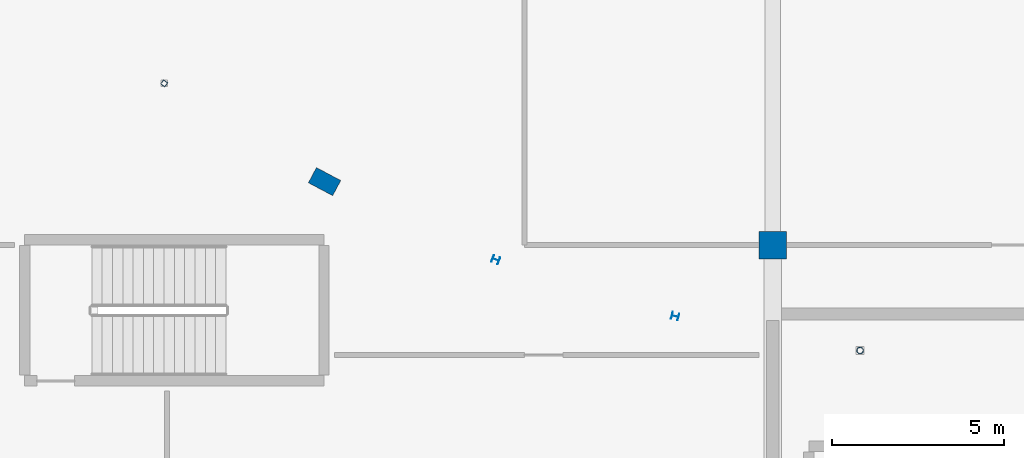
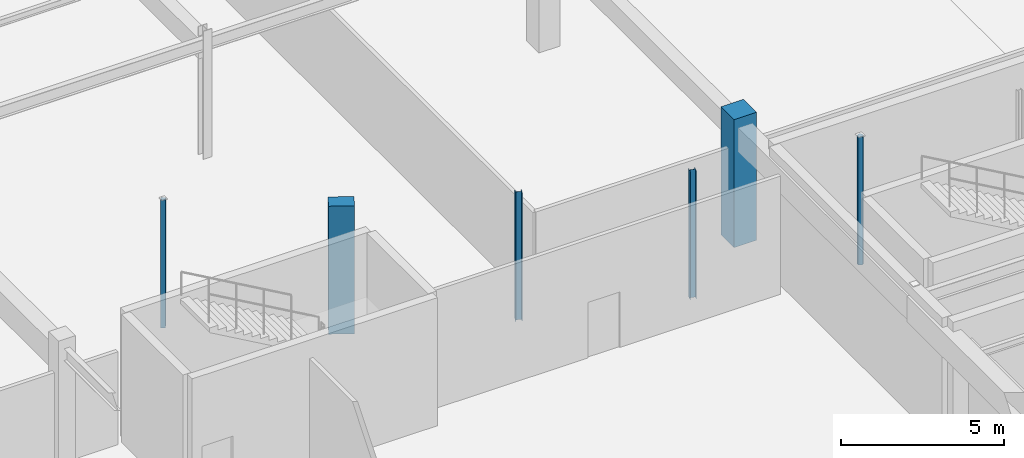
# One storey, part 8 of 226: 6 columns.
"""IFC4 building model written with IfcOpenShell, lengths in metres."""

from ifc_helpers import new_model, si_unit, direction, frame, origin, origin_2d, place, context, subcontext, project, spatial, rectangle, hollow_rectangle, hollow_circle, i_section, extrude, material, material_profile, profile_set, type_object, element, save


model = new_model("IFC4")

# Units and contexts
model_context = context("Model", 3, precision=1e-05, world=origin(), true_north=direction((0.0, 1.0)))
body_context = subcontext(model_context, "Body", "Model", "MODEL_VIEW")
ifc_project = project(units=[si_unit("LENGTHUNIT", "METRE"), si_unit("AREAUNIT", "SQUARE_METRE"), si_unit("VOLUMEUNIT", "CUBIC_METRE"), si_unit("PLANEANGLEUNIT", "RADIAN"), si_unit("MASSUNIT", "GRAM", prefix="KILO")], contexts=[model_context])

# Site, building, storey
site_placement = place(None, origin())
site = spatial("IfcSite", under=ifc_project, at=site_placement, CompositionType="ELEMENT")
building_placement = place(site_placement, origin())
building = spatial("IfcBuilding", under=site, at=building_placement, Name="Tarnwether General Hospital", CompositionType="ELEMENT")
storey_placement = place(building_placement, frame((0.0, 0.0, 4.800048828125)))
storey = spatial("IfcBuildingStorey", under=building, at=storey_placement, Name="L01", CompositionType="ELEMENT", Elevation=4.800048828125)

# Columns
ifc_material_1 = material(Name="Concrete 50 MPa", Category="concrete")
ifc_material_profile_1 = material_profile(ifc_material_1, rectangle(XDim=0.800048828125, YDim=0.800048828125, at=origin_2d()), Name="RC-COL-800x800")
ifc_profile_set_1 = profile_set([ifc_material_profile_1], Name="Concrete 50 MPa")
column_type_1 = type_object("IfcColumnType", Name="COL-16", PredefinedType="COLUMN", material=ifc_profile_set_1)
column_1_placement = place(storey_placement, frame((84.0, 21.60009765625, 0.0), z_axis=(0.0, 0.0, 1.0), x_axis=(0.0, 1.0, 0.0)))
element("IfcColumn", 1, at=column_1_placement, inside=storey, type_object=column_type_1, Name="Column COLG-L01-8400_2160", PredefinedType="COLUMN", context=body_context, shape_type="SweptSolid", body=[
    extrude(rectangle(XDim=0.800048828125, YDim=0.800048828125, at=origin_2d()), origin(), (0.0, 0.0, 1.0), 4.800048828125),
])
ifc_material_2 = material(Name="Concrete 50 MPa", Category="concrete")
ifc_material_profile_2 = material_profile(ifc_material_2, rectangle(XDim=0.5, YDim=0.800048828125, at=origin_2d()), Name="RC-PIL-500x800")
ifc_profile_set_2 = profile_set([ifc_material_profile_2], Name="Concrete 50 MPa")
column_type_2 = type_object("IfcColumnType", Name="COL-23", PredefinedType="PILASTER", material=ifc_profile_set_2)
column_2_placement = place(storey_placement, frame((70.968017578125, 23.444091796875, 0.0), z_axis=(0.0, 0.0, 1.0), x_axis=(0.469471562786, 0.882947592859, 0.0)))
element("IfcColumn", 2, at=column_2_placement, inside=storey, type_object=column_type_2, Name="Column COLG-L01-7097_2344", PredefinedType="PILASTER", context=body_context, shape_type="SweptSolid", body=[
    extrude(rectangle(XDim=0.5, YDim=0.800048828125, at=origin_2d()), origin(), (0.0, 0.0, 1.0), 4.800048828125),
])
ifc_material_3 = material(Name="Steel Grade 350 (350 MPa)", Category="steel")
ifc_material_profile_3 = material_profile(ifc_material_3, i_section(OverallWidth=0.205078125, OverallDepth=0.2099609375, WebThickness=0.00927734375, FlangeThickness=0.01416015625, at=origin_2d()), Name="200UC59.5")
ifc_profile_set_3 = profile_set([ifc_material_profile_3], Name="Steel Grade 350 (350 MPa)")
column_type_3 = type_object("IfcColumnType", Name="COL-25", PredefinedType="COLUMN", material=ifc_profile_set_3)
column_3_placement = place(storey_placement, frame((75.945068359375, 21.176025390625, 0.0), z_axis=(0.0, 0.0, 1.0), x_axis=(0.358367949545, 0.933580426497, 0.0)))
element("IfcColumn", 3, at=column_3_placement, inside=storey, type_object=column_type_3, Name="Column COLG-L01-7594_2118", PredefinedType="COLUMN", context=body_context, shape_type="SweptSolid", body=[
    extrude(i_section(OverallWidth=0.205078125, OverallDepth=0.2099609375, WebThickness=0.00927734375, FlangeThickness=0.01416015625, at=origin_2d()), origin(), (0.0, 0.0, 1.0), 4.800048828125),
])
ifc_material_4 = material(Name="Steel Grade 350 (350 MPa)", Category="steel")
ifc_material_profile_4 = material_profile(ifc_material_4, i_section(OverallWidth=0.202880859375, OverallDepth=0.202880859375, WebThickness=0.00732421875, FlangeThickness=0.010986328125, at=origin_2d()), Name="200UC46.2")
ifc_profile_set_4 = profile_set([ifc_material_profile_4], Name="Steel Grade 350 (350 MPa)")
column_type_4 = type_object("IfcColumnType", Name="COL-27", PredefinedType="COLUMN", material=ifc_profile_set_4)
column_4_placement = place(storey_placement, frame((81.162109375, 19.531005859375, 0.0), z_axis=(0.0, 0.0, 1.0), x_axis=(0.2419218956, 0.970295726276, 0.0)))
element("IfcColumn", 4, at=column_4_placement, inside=storey, type_object=column_type_4, Name="Column COLG-L01-8116_1953", PredefinedType="COLUMN", context=body_context, shape_type="SweptSolid", body=[
    extrude(i_section(OverallWidth=0.202880859375, OverallDepth=0.202880859375, WebThickness=0.00732421875, FlangeThickness=0.010986328125, at=origin_2d()), origin(), (0.0, 0.0, 1.0), 4.800048828125),
])
ifc_material_5 = material(Name="Steel Grade C350L0 (350 MPa)", Category="steel")
ifc_material_profile_5 = material_profile(ifc_material_5, hollow_circle(Radius=0.096923828125, WallThickness=0.008056640625, at=origin_2d()), Name="CHS193.7x8.0")
ifc_profile_set_5 = profile_set([ifc_material_profile_5], Name="Steel Grade C350L0 (350 MPa)")
column_type_5 = type_object("IfcColumnType", Name="COL-29", PredefinedType="COLUMN", material=ifc_profile_set_5)
column_5_placement = place(storey_placement, frame((86.5400390625, 18.533935546875, 0.0), z_axis=(0.0, 0.0, 1.0), x_axis=(0.121869343405, 0.992546151641, 0.0)))
element("IfcColumn", 5, at=column_5_placement, inside=storey, type_object=column_type_5, Name="Column COLG-L01-8654_1853", PredefinedType="COLUMN", context=body_context, shape_type="SweptSolid", body=[
    extrude(hollow_circle(Radius=0.096923828125, WallThickness=0.008056640625, at=origin_2d()), origin(), (0.0, 0.0, 1.0), 4.800048828125),
])
ifc_material_6 = material(Name="Steel Grade C350L0 (350 MPa)", Category="steel")
ifc_material_profile_6 = material_profile(ifc_material_6, hollow_rectangle(XDim=0.14990234375, YDim=0.14990234375, WallThickness=0.008056640625, at=origin_2d()), Name="SHS150x150x8")
ifc_profile_set_6 = profile_set([ifc_material_profile_6], Name="Steel Grade C350L0 (350 MPa)")
column_type_6 = type_object("IfcColumnType", Name="COL-33", PredefinedType="COLUMN", material=ifc_profile_set_6)
column_6_placement = place(storey_placement, frame((66.303955078125, 26.302001953125, 0.0), z_axis=(0.0, 0.0, 1.0), x_axis=(0.573576436351, 0.819152044289, 0.0)))
element("IfcColumn", 6, at=column_6_placement, inside=storey, type_object=column_type_6, Name="Column COLG-L01-6630_2630", PredefinedType="COLUMN", context=body_context, shape_type="SweptSolid", body=[
    extrude(hollow_rectangle(XDim=0.14990234375, YDim=0.14990234375, WallThickness=0.008056640625, at=origin_2d()), origin(), (0.0, 0.0, 1.0), 4.800048828125),
])

save(model, "model.ifc")
